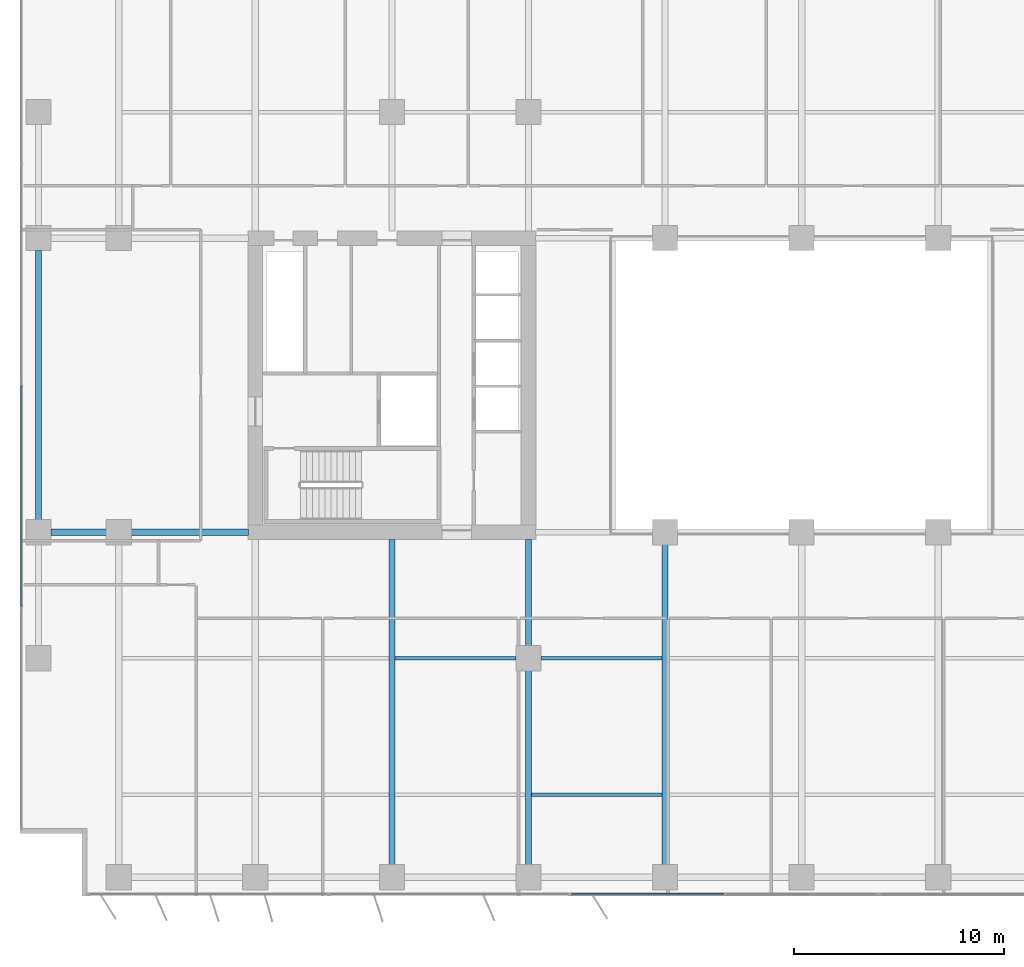
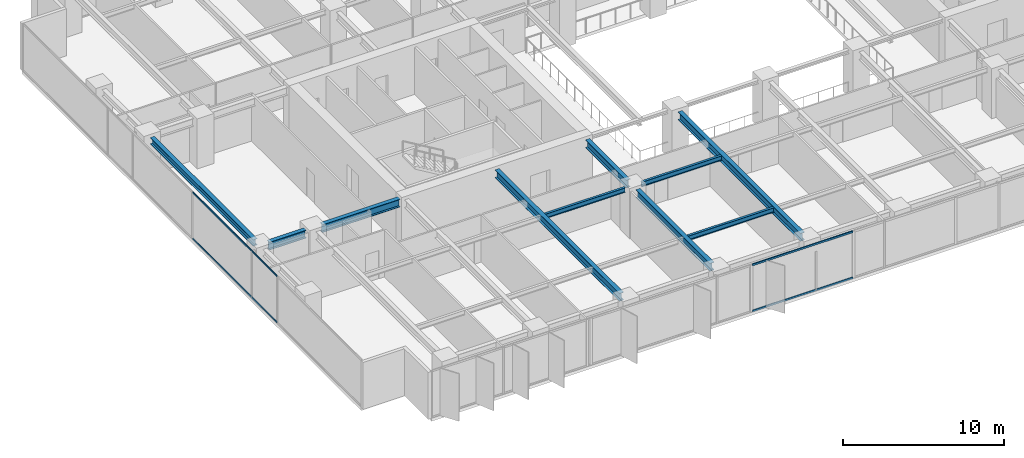
# One storey, part 3 of 20: 10 beams, 4 members, 2 elements without a shape of their own.
"""IFC4 building model written with IfcOpenShell, lengths in metres."""

import ifcopenshell
import ifcopenshell.guid

model = None  # the IFC model being written
_history = None  # IfcOwnerHistory: only IFC2X3 demands one
_inside = {}  # id of a spatial element -> (the spatial element, [elements in it])
_under = {}  # id of a project, library or spatial element -> (it, [spatial elements below it])
_declared = {}  # id of a project -> (the project, [libraries it declares])
_typed = {}  # id of a type object -> (the type object, [elements of that type])
_made_of = {}  # id of a material, layer set ... -> (it, [elements and type objects made of it])


def new_model(schema):
    """Start an empty IFC model of exactly this schema.

    Asked for "IFC4X3", IfcOpenShell would pick the latest addendum, in which some entities
    have other attributes; the version numbers below select the first issue.
    IFC2X3 requires an IfcOwnerHistory on every rooted entity: one is made here for all.
    """
    global model, _history
    if schema == "IFC4X3":
        model = ifcopenshell.file(schema_version=(4, 3, 0, 0))
    else:
        model = ifcopenshell.file(schema=schema)
    _inside.clear()
    _under.clear()
    _declared.clear()
    _typed.clear()
    _made_of.clear()
    _history = None
    if model.schema == "IFC2X3":
        org = make("IfcOrganization", Name="unknown")
        user = make(
            "IfcPersonAndOrganization",
            ThePerson=make("IfcPerson", FamilyName="unknown"),
            TheOrganization=org,
        )
        app = make(
            "IfcApplication",
            ApplicationDeveloper=org,
            Version="unknown",
            ApplicationFullName="unknown",
            ApplicationIdentifier="unknown",
        )
        _history = make(
            "IfcOwnerHistory",
            OwningUser=user,
            OwningApplication=app,
            ChangeAction="ADDED",
            CreationDate=0,
        )
    return model


def make(cls, **values):
    """One entity of the class cls with the attributes given. An attribute that is None is left unset."""
    return model.create_entity(
        cls, **{name: value for name, value in values.items() if value is not None}
    )


def rooted(cls, **values):
    """An entity with a GlobalId (a new one), such as an element, a storey or a relation."""
    return make(cls, GlobalId=ifcopenshell.guid.new(), OwnerHistory=_history, **values)


def si_unit(unit_type, name, prefix=None):
    """IfcSIUnit, for example si_unit("LENGTHUNIT", "METRE", prefix="MILLI")."""
    return make("IfcSIUnit", UnitType=unit_type, Prefix=prefix, Name=name)


def assignment(units):
    """IfcUnitAssignment: the units of a project."""
    return None if units is None else make("IfcUnitAssignment", Units=units)


def point(xyz):
    """IfcCartesianPoint."""
    return None if xyz is None else make("IfcCartesianPoint", Coordinates=xyz)


def direction(xyz):
    """IfcDirection."""
    return None if xyz is None else make("IfcDirection", DirectionRatios=xyz)


def frame(location, z_axis=None, x_axis=None):
    """IfcAxis2Placement3D, a coordinate frame: its origin and axes. An axis left out is left unset."""
    return make(
        "IfcAxis2Placement3D",
        Location=point(location),
        Axis=direction(z_axis),
        RefDirection=direction(x_axis),
    )


def frame_2d(location, x_axis=None):
    """IfcAxis2Placement2D, a coordinate frame in the plane: its origin and x axis."""
    return make(
        "IfcAxis2Placement2D", Location=point(location), RefDirection=direction(x_axis)
    )


def origin():
    """The frame at (0, 0, 0) with its axes left unset."""
    return frame((0.0, 0.0, 0.0))


def origin_2d():
    """The frame at (0, 0) in the plane with its x axis left unset."""
    return frame_2d((0.0, 0.0))


def place(relative_to, where):
    """IfcLocalPlacement: puts the frame where relative to a parent placement (None: the world)."""
    return make(
        "IfcLocalPlacement", PlacementRelTo=relative_to, RelativePlacement=where
    )


def context(
    kind, dimensions, precision=None, world=None, true_north=None, identifier=None
):
    """IfcGeometricRepresentationContext, for example the 3D "Model" context."""
    return make(
        "IfcGeometricRepresentationContext",
        ContextIdentifier=identifier,
        ContextType=kind,
        CoordinateSpaceDimension=dimensions,
        Precision=precision,
        WorldCoordinateSystem=world,
        TrueNorth=true_north,
    )


def subcontext(parent, identifier, kind, view, scale=None):
    """IfcGeometricRepresentationSubContext, for example "Body" below "Model"."""
    return make(
        "IfcGeometricRepresentationSubContext",
        ContextIdentifier=identifier,
        ContextType=kind,
        ParentContext=parent,
        TargetScale=scale,
        TargetView=view,
    )


def project(units=None, contexts=None):
    """IfcProject with its units and contexts."""
    return rooted(
        "IfcProject",
        Name="project",
        RepresentationContexts=contexts,
        UnitsInContext=assignment(units),
    )


def spatial(cls, under=None, at=None, **own):
    """A site, building, storey or space (cls), placed at a placement, below another one or the project."""
    s = rooted(cls, ObjectPlacement=at, **own)
    if under is not None:
        _under.setdefault(under.id(), (under, []))[1].append(s)
    return s


def profile(cls, at=None, kind="AREA", **sizes):
    """A parametric profile (cls). Its sizes go by their IFC names, for example OverallWidth=200.0."""
    return make(cls, ProfileType=kind, Position=at, **sizes)


def rectangle(**sizes):
    """IfcRectangleProfileDef."""
    return profile("IfcRectangleProfileDef", **sizes)


def i_section(**sizes):
    """IfcIShapeProfileDef."""
    return profile("IfcIShapeProfileDef", **sizes)


def extrude(swept, where, along, depth):
    """IfcExtrudedAreaSolid: the profile swept, set in the frame where, extruded along a direction by depth."""
    return make(
        "IfcExtrudedAreaSolid",
        SweptArea=swept,
        Position=where,
        ExtrudedDirection=direction(along),
        Depth=depth,
    )


def shape(context_of_items, identifier, shape_type, items):
    """IfcShapeRepresentation: the items that make up one representation, for example the "Body"."""
    return make(
        "IfcShapeRepresentation",
        ContextOfItems=context_of_items,
        RepresentationIdentifier=identifier,
        RepresentationType=shape_type,
        Items=items,
    )


def material(Name=None, Category=None):
    """IfcMaterial."""
    return make("IfcMaterial", Name=Name, Category=Category)


def layer(
    of_material, thickness, ventilated=None, Name=None, Category=None, Priority=None
):
    """IfcMaterialLayer: one layer of a wall or slab, of a material (None: an air gap)."""
    return make(
        "IfcMaterialLayer",
        Material=of_material,
        LayerThickness=thickness,
        IsVentilated=ventilated,
        Name=Name,
        Category=Category,
        Priority=Priority,
    )


def layer_set(layers, Name=None):
    """IfcMaterialLayerSet."""
    return make("IfcMaterialLayerSet", MaterialLayers=layers, LayerSetName=Name)


def material_profile(
    of_material, cross_section, Name=None, Category=None, Priority=None
):
    """IfcMaterialProfile: a cross section and its material."""
    return make(
        "IfcMaterialProfile",
        Name=Name,
        Material=of_material,
        Profile=cross_section,
        Priority=Priority,
        Category=Category,
    )


def profile_set(profiles, Name=None, composite=None):
    """IfcMaterialProfileSet."""
    return make(
        "IfcMaterialProfileSet",
        Name=Name,
        MaterialProfiles=profiles,
        CompositeProfile=composite,
    )


def made_of(thing, what):
    """Note that an element or type object is made of a material, layer set ...; save() writes the relation."""
    if what is not None:
        _made_of.setdefault(what.id(), (what, []))[1].append(thing)
    return thing


def type_object(cls, material=None, **own):
    """A type object (cls), such as IfcWallType, which elements share."""
    return made_of(rooted(cls, **own), material)


def element(
    cls,
    number,
    at=None,
    inside=None,
    cuts=None,
    type_object=None,
    material=None,
    context=None,
    identifier="Body",
    shape_type=None,
    held_by="IfcProductDefinitionShape",
    body=None,
    shapes=None,
    **own,
):
    """One element of the class cls, such as IfcWall. Its Tag is "e" and its number.

    at: its placement. inside: the storey or other place that contains it. cuts: it is an
    opening in that element (IfcRelVoidsElement). A single representation is given by context,
    identifier, shape_type and body (its items); several are given by shapes. held_by: the class
    of the entity that holds the representations. save() writes the other relations.
    """
    e = rooted(cls, Tag="e%d" % number, ObjectPlacement=at, **own)
    if body is not None:
        shapes = [shape(context, identifier, shape_type, body)]
    if shapes is not None:
        e.Representation = make(held_by, Representations=shapes)
    if inside is not None:
        _inside.setdefault(inside.id(), (inside, []))[1].append(e)
    if cuts is not None:
        rooted(
            "IfcRelVoidsElement", RelatingBuildingElement=cuts, RelatedOpeningElement=e
        )
    if type_object is not None:
        _typed.setdefault(type_object.id(), (type_object, []))[1].append(e)
    return made_of(e, material)


def aggregate(whole, parts):
    """IfcRelAggregates: a whole, such as a stair, and the parts it consists of."""
    return rooted("IfcRelAggregates", RelatingObject=whole, RelatedObjects=parts)


def save(model, path):
    """Write the relations noted so far, then the file.

    IfcRelAggregates (storeys below a building ...), IfcRelContainedInSpatialStructure (elements
    in a storey), IfcRelDefinesByType, IfcRelAssociatesMaterial and IfcRelDeclares: one each for
    every whole, place, type object, material and project.
    """
    for whole, parts in _under.values():
        aggregate(whole, parts)
    for where, things in _inside.values():
        rooted(
            "IfcRelContainedInSpatialStructure",
            RelatedElements=things,
            RelatingStructure=where,
        )
    for kind, things in _typed.values():
        rooted("IfcRelDefinesByType", RelatedObjects=things, RelatingType=kind)
    for what, things in _made_of.values():
        rooted("IfcRelAssociatesMaterial", RelatedObjects=things, RelatingMaterial=what)
    for by, libraries in _declared.values():
        rooted("IfcRelDeclares", RelatingContext=by, RelatedDefinitions=libraries)
    model.write(path)


model = new_model("IFC4")

# Units and contexts
model_context = context("Model", 3, precision=1e-05, world=origin(), true_north=direction((0.0, 1.0)))
body_context = subcontext(model_context, "Body", "Model", "MODEL_VIEW")
ifc_project = project(units=[si_unit("LENGTHUNIT", "METRE"), si_unit("AREAUNIT", "SQUARE_METRE"), si_unit("VOLUMEUNIT", "CUBIC_METRE"), si_unit("PLANEANGLEUNIT", "RADIAN"), si_unit("MASSUNIT", "GRAM", prefix="KILO")], contexts=[model_context])

# Site, building, storey
site_placement = place(None, origin())
site = spatial("IfcSite", under=ifc_project, at=site_placement, CompositionType="ELEMENT")
building_placement = place(site_placement, origin())
building = spatial("IfcBuilding", under=site, at=building_placement, Name="Putna Gate Headquarters", CompositionType="ELEMENT")
storey_placement = place(building_placement, frame((0.0, 0.0, 131.60009765625)))
storey = spatial("IfcBuildingStorey", under=building, at=storey_placement, Name="L32", CompositionType="ELEMENT", Elevation=131.60009765625)

# Beams
ifc_material_1 = material(Name="Steel S355J2", Category="steel")
ifc_material_profile_1 = material_profile(ifc_material_1, i_section(OverallWidth=0.300048828125, OverallDepth=0.60009765625, WebThickness=0.015380859375, FlangeThickness=0.030029296875, at=origin_2d()), Name="Steel S355J2")
ifc_profile_set_1 = profile_set([ifc_material_profile_1], Name="Steel S355J2")
beam_type_1 = type_object("IfcBeamType", Name="BM-GIRD-Z2-HEB600", PredefinedType="USERDEFINED", material=ifc_profile_set_1)
beam_1_placement = place(storey_placement, frame((3.26806640625, 19.0, 3.264892578125), z_axis=(1.0, 0.0, 0.0), x_axis=(0.0, 1.0, 0.0)))
element("IfcBeam", 1, at=beam_1_placement, inside=storey, type_object=beam_type_1, Name="L32 West Wing Girder Y19-1", ObjectType="GIRDER", PredefinedType="USERDEFINED", context=body_context, shape_type="SweptSolid", body=[
    extrude(i_section(OverallWidth=0.300048828125, OverallDepth=0.60009765625, WebThickness=0.015380859375, FlangeThickness=0.030029296875, at=origin_2d()), origin(), (0.0, 0.0, 1.0), 2.64404296875),
])
beam_2_placement = place(storey_placement, frame((7.087890625, 19.0, 3.264892578125), z_axis=(1.0, 0.0, 0.0), x_axis=(0.0, 1.0, 0.0)))
element("IfcBeam", 2, at=beam_2_placement, inside=storey, type_object=beam_type_1, Name="L32 West Wing Girder Y19-2", ObjectType="GIRDER", PredefinedType="USERDEFINED", context=body_context, shape_type="SweptSolid", body=[
    extrude(i_section(OverallWidth=0.300048828125, OverallDepth=0.60009765625, WebThickness=0.015380859375, FlangeThickness=0.030029296875, at=origin_2d()), origin(), (0.0, 0.0, 1.0), 5.5771484375),
])
beam_3_placement = place(storey_placement, frame((19.5, 3.16796875, 3.264892578125), z_axis=(0.0, 1.0, 0.0), x_axis=(-1.0, 0.0, 0.0)))
element("IfcBeam", 3, at=beam_3_placement, inside=storey, type_object=beam_type_1, Name="L32 South Primary Girder X19", ObjectType="GIRDER", PredefinedType="USERDEFINED", context=body_context, shape_type="SweptSolid", body=[
    extrude(i_section(OverallWidth=0.300048828125, OverallDepth=0.60009765625, WebThickness=0.015380859375, FlangeThickness=0.030029296875, at=origin_2d()), origin(), (0.0, 0.0, 1.0), 15.4970703125),
])
beam_4_placement = place(storey_placement, frame((26.0, 3.16796875, 3.264892578125), z_axis=(0.0, 1.0, 0.0), x_axis=(-1.0, 0.0, 0.0)))
element("IfcBeam", 4, at=beam_4_placement, inside=storey, type_object=beam_type_1, Name="L32 South Primary Girder X26-1", ObjectType="GIRDER", PredefinedType="USERDEFINED", context=body_context, shape_type="SweptSolid", body=[
    extrude(i_section(OverallWidth=0.300048828125, OverallDepth=0.60009765625, WebThickness=0.015380859375, FlangeThickness=0.030029296875, at=origin_2d()), origin(), (0.0, 0.0, 1.0), 9.244140625),
])
beam_5_placement = place(storey_placement, frame((26.0, 13.587890625, 3.264892578125), z_axis=(0.0, 1.0, 0.0), x_axis=(-1.0, 0.0, 0.0)))
element("IfcBeam", 5, at=beam_5_placement, inside=storey, type_object=beam_type_1, Name="L32 South Primary Girder X26-2", ObjectType="GIRDER", PredefinedType="USERDEFINED", context=body_context, shape_type="SweptSolid", body=[
    extrude(i_section(OverallWidth=0.300048828125, OverallDepth=0.60009765625, WebThickness=0.015380859375, FlangeThickness=0.030029296875, at=origin_2d()), origin(), (0.0, 0.0, 1.0), 5.0771484375),
])
beam_6_placement = place(storey_placement, frame((32.5, 3.16796875, 3.264892578125), z_axis=(0.0, 1.0, 0.0), x_axis=(-1.0, 0.0, 0.0)))
element("IfcBeam", 6, at=beam_6_placement, inside=storey, type_object=beam_type_1, Name="L32 South Primary Girder X32", ObjectType="GIRDER", PredefinedType="USERDEFINED", context=body_context, shape_type="SweptSolid", body=[
    extrude(i_section(OverallWidth=0.300048828125, OverallDepth=0.60009765625, WebThickness=0.015380859375, FlangeThickness=0.030029296875, at=origin_2d()), origin(), (0.0, 0.0, 1.0), 15.244140625),
])
ifc_material_profile_2 = material_profile(ifc_material_1, i_section(OverallWidth=0.169921875, OverallDepth=0.360107421875, WebThickness=0.008056640625, FlangeThickness=0.0126953125, at=origin_2d()), Name="Steel S355J2")
ifc_profile_set_2 = profile_set([ifc_material_profile_2], Name="Steel S355J2")
beam_type_2 = type_object("IfcBeamType", Name="BM-SEC-Z2-IPE360", PredefinedType="BEAM", material=ifc_profile_set_2)
beam_7_placement = place(storey_placement, frame((19.654052734375, 13.0, 3.385009765625), z_axis=(1.0, 0.0, 0.0), x_axis=(0.0, 1.0, 0.0)))
element("IfcBeam", 7, at=beam_7_placement, inside=storey, type_object=beam_type_2, Name="L32 South Secondary Beam 3", PredefinedType="BEAM", context=body_context, shape_type="SweptSolid", body=[
    extrude(i_section(OverallWidth=0.169921875, OverallDepth=0.360107421875, WebThickness=0.008056640625, FlangeThickness=0.0126953125, at=origin_2d()), origin(), (0.0, 0.0, 1.0), 5.758056640625),
])
beam_8_placement = place(storey_placement, frame((26.154052734375, 6.5, 3.385009765625), z_axis=(1.0, 0.0, 0.0), x_axis=(0.0, 1.0, 0.0)))
element("IfcBeam", 8, at=beam_8_placement, inside=storey, type_object=beam_type_2, Name="L32 South Secondary Beam 4", PredefinedType="BEAM", context=body_context, shape_type="SweptSolid", body=[
    extrude(i_section(OverallWidth=0.169921875, OverallDepth=0.360107421875, WebThickness=0.008056640625, FlangeThickness=0.0126953125, at=origin_2d()), origin(), (0.0, 0.0, 1.0), 6.19189453125),
])
beam_9_placement = place(storey_placement, frame((26.587890625, 13.0, 3.385009765625), z_axis=(1.0, 0.0, 0.0), x_axis=(0.0, 1.0, 0.0)))
element("IfcBeam", 9, at=beam_9_placement, inside=storey, type_object=beam_type_2, Name="L32 South Secondary Beam 4", PredefinedType="BEAM", context=body_context, shape_type="SweptSolid", body=[
    extrude(i_section(OverallWidth=0.169921875, OverallDepth=0.360107421875, WebThickness=0.008056640625, FlangeThickness=0.0126953125, at=origin_2d()), origin(), (0.0, 0.0, 1.0), 5.758056640625),
])
ifc_material_profile_3 = material_profile(ifc_material_1, i_section(OverallWidth=0.300048828125, OverallDepth=0.489990234375, WebThickness=0.011962890625, FlangeThickness=0.02294921875, at=origin_2d()), Name="Steel S355J2")
ifc_profile_set_3 = profile_set([ifc_material_profile_3], Name="Steel S355J2")
beam_type_3 = type_object("IfcBeamType", Name="BM-SPAN-Z2-HEA500", PredefinedType="SPANDREL", material=ifc_profile_set_3)
beam_10_placement = place(storey_placement, frame((2.679931640625, 19.587890625, 3.31982421875), z_axis=(0.0, 1.0, 0.0), x_axis=(-1.0, 0.0, 0.0)))
element("IfcBeam", 10, at=beam_10_placement, inside=storey, type_object=beam_type_3, Name="L32 W End Spandrel 2", PredefinedType="SPANDREL", context=body_context, shape_type="SweptSolid", body=[
    extrude(i_section(OverallWidth=0.300048828125, OverallDepth=0.489990234375, WebThickness=0.011962890625, FlangeThickness=0.02294921875, at=origin_2d()), origin(), (0.0, 0.0, 1.0), 12.82421875),
])

# Curtain wall, members
ifc_material_2 = material(Name="Anodised bronze aluminium curtain wall", Category="aluminium")
ifc_layer_1 = layer(ifc_material_2, 0.159912109375)
ifc_layer_set_1 = layer_set([ifc_layer_1], Name="Anodised bronze aluminium curtain wall")
curtain_wall_type_1 = type_object("IfcCurtainWallType", Name="CW-SYS-Z2", PredefinedType="USERDEFINED", material=ifc_layer_set_1)
curtain_wall_1_placement = place(storey_placement, origin())
curtain_wall_1 = element("IfcCurtainWall", 11, at=curtain_wall_1_placement, inside=storey, type_object=curtain_wall_type_1, Name="L32 West Curtain Wall", ObjectType="STICK CURTAIN WALL", PredefinedType="USERDEFINED")
ifc_material_3 = material(Name="Anodised bronze aluminium EN AW-6060", Category="aluminium")
ifc_material_profile_4 = material_profile(ifc_material_3, rectangle(XDim=0.06494140625, YDim=0.1201171875, at=origin_2d()), Name="Anodised bronze aluminium EN AW-6060")
ifc_profile_set_4 = profile_set([ifc_material_profile_4], Name="Anodised bronze aluminium EN AW-6060")
member_type_1 = type_object("IfcMemberType", Name="TRAN-CWT-2", PredefinedType="USERDEFINED", material=ifc_profile_set_4)
member_1_placement = place(storey_placement, frame((1.8798828125, 15.482421875, 0.032470703125), z_axis=(0.0, 1.0, 0.0), x_axis=(-1.0, 0.0, 0.0)))
member_1 = element("IfcMember", 12, at=member_1_placement, type_object=member_type_1, Name="CWS-2 transom 2.1", ObjectType="TRANSOM", PredefinedType="USERDEFINED", context=body_context, shape_type="SweptSolid", body=[
    extrude(rectangle(XDim=0.06494140625, YDim=0.1201171875, at=origin_2d()), origin(), (0.0, 0.0, 1.0), 10.485107421875),
])
member_2_placement = place(storey_placement, frame((1.8798828125, 15.482421875, 3.532470703125), z_axis=(0.0, 1.0, 0.0), x_axis=(-1.0, 0.0, 0.0)))
member_2 = element("IfcMember", 13, at=member_2_placement, type_object=member_type_1, Name="CWS-2 transom 2.2", ObjectType="TRANSOM", PredefinedType="USERDEFINED", context=body_context, shape_type="SweptSolid", body=[
    extrude(rectangle(XDim=0.06494140625, YDim=0.1201171875, at=origin_2d()), origin(), (0.0, 0.0, 1.0), 10.485107421875),
])
aggregate(curtain_wall_1, [member_1, member_2])

ifc_layer_2 = layer(ifc_material_2, 0.179931640625)
ifc_layer_set_2 = layer_set([ifc_layer_2], Name="Anodised bronze aluminium curtain wall")
curtain_wall_type_2 = type_object("IfcCurtainWallType", Name="CW-SYS-ATR", PredefinedType="USERDEFINED", material=ifc_layer_set_2)
curtain_wall_2_placement = place(storey_placement, origin())
curtain_wall_2 = element("IfcCurtainWall", 14, at=curtain_wall_2_placement, inside=storey, type_object=curtain_wall_type_2, Name="L32 South Atrium Clear Glazing", ObjectType="ATRIUM GLAZING", PredefinedType="USERDEFINED")
ifc_material_profile_5 = material_profile(ifc_material_3, rectangle(XDim=0.070068359375, YDim=0.139892578125, at=origin_2d()), Name="Anodised bronze aluminium EN AW-6060")
ifc_profile_set_5 = profile_set([ifc_material_profile_5], Name="Anodised bronze aluminium EN AW-6060")
member_type_2 = type_object("IfcMemberType", Name="TRAN-CWT-AT", PredefinedType="USERDEFINED", material=ifc_profile_set_5)
member_3_placement = place(storey_placement, frame((28.070068359375, 1.780029296875, 0.034912109375), z_axis=(1.0, 0.0, 0.0), x_axis=(0.0, 1.0, 0.0)))
member_3 = element("IfcMember", 15, at=member_3_placement, type_object=member_type_2, Name="CWS-AT transom 1.1", ObjectType="TRANSOM", PredefinedType="USERDEFINED", context=body_context, shape_type="SweptSolid", body=[
    extrude(rectangle(XDim=0.070068359375, YDim=0.139892578125, at=origin_2d()), origin(), (0.0, 0.0, 1.0), 7.228271484375),
])
member_4_placement = place(storey_placement, frame((28.070068359375, 1.780029296875, 3.52978515625), z_axis=(1.0, 0.0, 0.0), x_axis=(0.0, 1.0, 0.0)))
member_4 = element("IfcMember", 16, at=member_4_placement, type_object=member_type_2, Name="CWS-AT transom 1.2", ObjectType="TRANSOM", PredefinedType="USERDEFINED", context=body_context, shape_type="SweptSolid", body=[
    extrude(rectangle(XDim=0.070068359375, YDim=0.139892578125, at=origin_2d()), origin(), (0.0, 0.0, 1.0), 7.228271484375),
])
aggregate(curtain_wall_2, [member_3, member_4])

save(model, "model.ifc")
